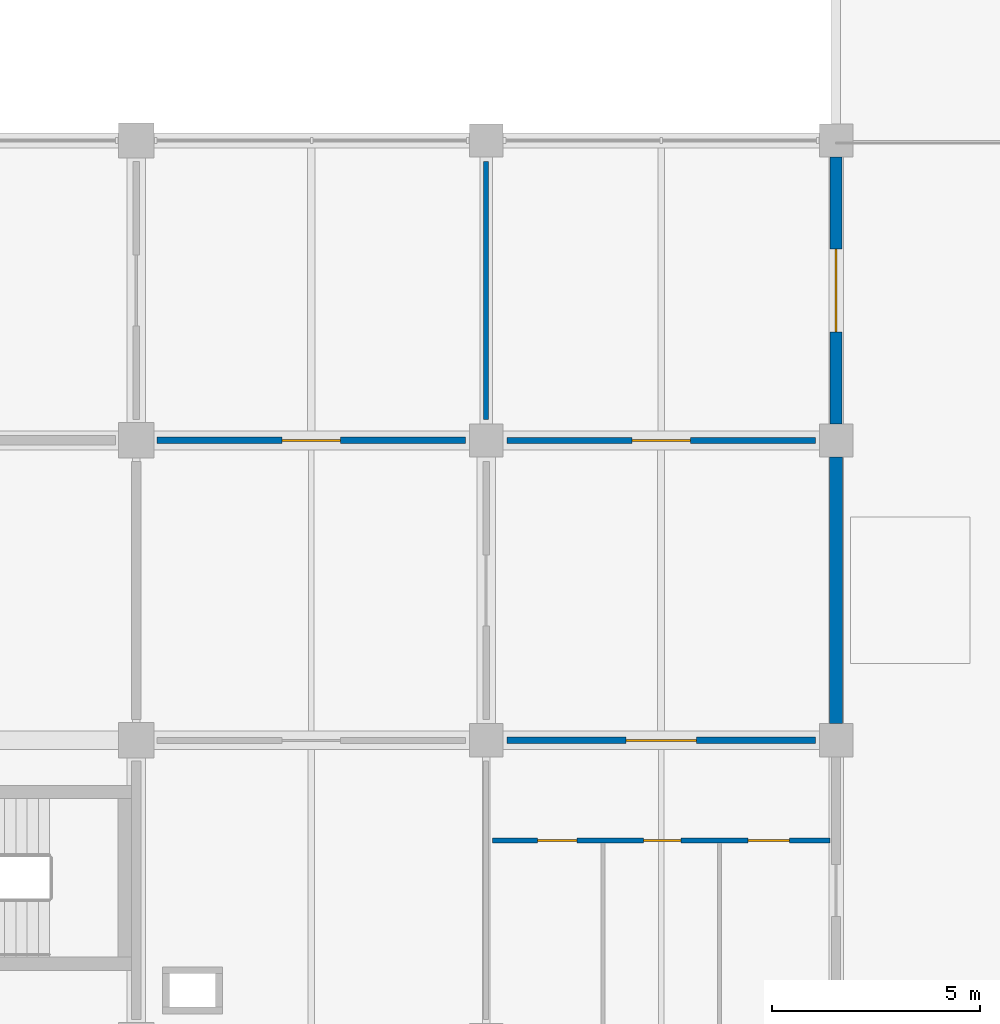
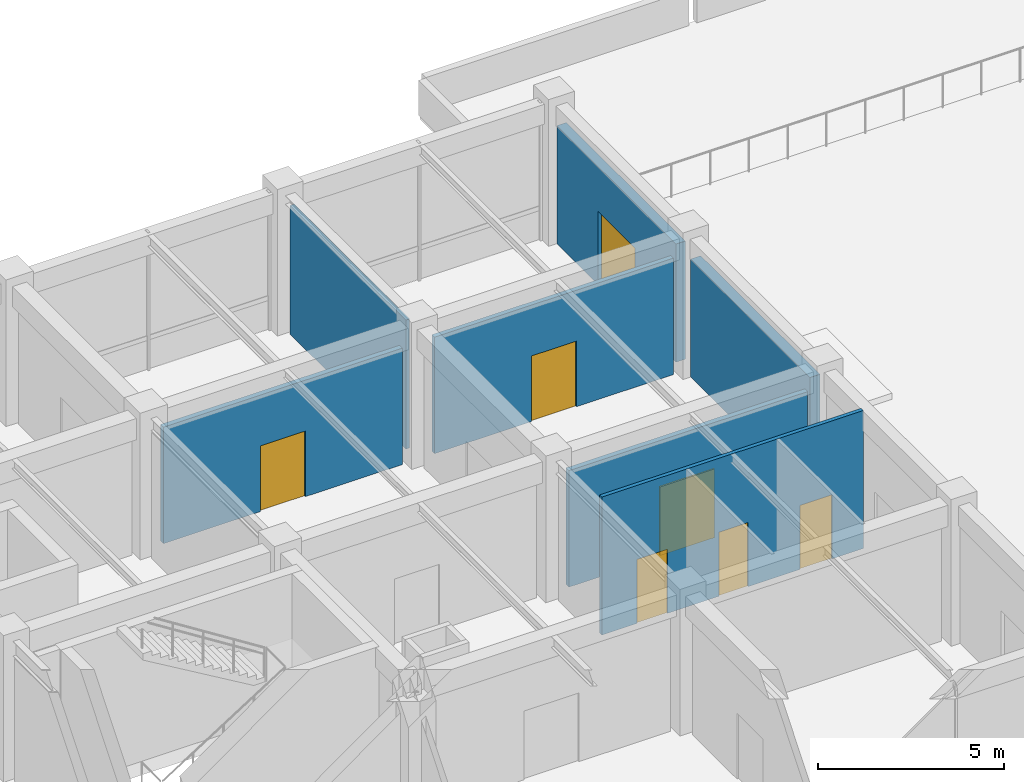
# One storey, part 41 of 45: 7 doors, 7 walls, 7 openings.
"""IFC4 building model written with IfcOpenShell, lengths in metres."""

from ifc_helpers import new_model, si_unit, derived_unit, direction, frame, frame_2d, origin, place, context, subcontext, project, spatial, rectangle, extrude, material, layer, layer_set, type_object, element, fill, save


model = new_model("IFC4")

# Units and contexts
model_context = context("Model", 3, precision=1e-05, world=origin(), true_north=direction((0.0, 1.0)))
body_context = subcontext(model_context, "Body", "Model", "MODEL_VIEW")
ifc_project = project(units=[si_unit("LENGTHUNIT", "METRE"), si_unit("AREAUNIT", "SQUARE_METRE"), si_unit("VOLUMEUNIT", "CUBIC_METRE"), si_unit("PLANEANGLEUNIT", "RADIAN"), si_unit("MASSUNIT", "GRAM", prefix="KILO"), derived_unit("THERMALTRANSMITTANCEUNIT", [(si_unit("MASSUNIT", "GRAM", prefix="KILO"), 1), (si_unit("TIMEUNIT", "SECOND"), -3), (si_unit("THERMODYNAMICTEMPERATUREUNIT", "KELVIN"), -1)])], contexts=[model_context])

# Site, building, storey
site_placement = place(None, origin())
site = spatial("IfcSite", under=ifc_project, at=site_placement, CompositionType="ELEMENT")
building_placement = place(site_placement, origin())
building = spatial("IfcBuilding", under=site, at=building_placement, Name="Veldstrom Oceanarium and Marine Research Institute", CompositionType="ELEMENT")
storey_placement = place(building_placement, frame((0.0, 0.0, 22.199951171875)))
storey = spatial("IfcBuildingStorey", under=building, at=storey_placement, Name="L04", CompositionType="ELEMENT", Elevation=22.199951171875)

# Wall
ifc_material_1 = material(Name="Masonry Cavity Wall", Category="masonry")
ifc_layer_1 = layer(ifc_material_1, 0.31005859375)
ifc_layer_set_1 = layer_set([ifc_layer_1], Name="ARC-WAL-EW1")
wall_type_1 = type_object("IfcWallType", Name="ARC-WAL-EW1", PredefinedType="SOLIDWALL", material=ifc_layer_set_1)
wall_1_placement = place(storey_placement, frame((117.60009765625, 58.0, 0.0), z_axis=(0.0, 0.0, 1.0), x_axis=(0.0, 1.0, 0.0)))
element("IfcWall", 1, at=wall_1_placement, inside=storey, type_object=wall_type_1, Name="Exterior Facade Wall EW1 L04-174", PredefinedType="SOLIDWALL", context=body_context, shape_type="SweptSolid", body=[
    extrude(rectangle(XDim=6.39990234375, YDim=0.31005859375, at=frame_2d((3.199951171875, 0.0))), origin(), (0.0, 0.0, 1.0), 3.864990234375),
])

# Wall, opening, door
ifc_material_2 = material(Name="Masonry Cavity Wall", Category="masonry")
ifc_layer_2 = layer(ifc_material_2, 0.2900390625)
ifc_layer_set_2 = layer_set([ifc_layer_2], Name="ARC-WAL-EW2")
wall_type_2 = type_object("IfcWallType", Name="ARC-WAL-EW2", PredefinedType="SOLIDWALL", material=ifc_layer_set_2)
wall_2_placement = place(storey_placement, frame((117.60009765625, 65.199951171875, 0.0), z_axis=(0.0, 0.0, 1.0), x_axis=(0.0, 1.0, 0.0)))
wall_2 = element("IfcWall", 2, at=wall_2_placement, inside=storey, type_object=wall_type_2, Name="Exterior Facade Wall EW2 L04-175", PredefinedType="SOLIDWALL", context=body_context, shape_type="SweptSolid", body=[
    extrude(rectangle(XDim=6.400146484375, YDim=0.2900390625, at=frame_2d((3.2001953125, 0.0))), origin(), (0.0, 0.0, 1.0), 3.864990234375),
])
opening_1_placement = place(wall_2_placement, frame((2.199951171875, 0.0, 0.0)))
opening_1 = element("IfcOpeningElement", 3, at=opening_1_placement, cuts=wall_2, Name="Opening D-L04-018", PredefinedType="OPENING", context=body_context, shape_type="SweptSolid", body=[
    extrude(rectangle(XDim=2.0, YDim=2.39990234375, at=frame_2d((1.0, 1.199951171875))), frame((0.0, 0.155029296875, 0.0), z_axis=(0.0, -1.0, 0.0), x_axis=(1.0, 0.0, 0.0)), (0.0, 0.0, 1.0), 0.31005859375),
])
ifc_material_3 = material(Name="Anodised Aluminium Glazed Door", Category="aluminium")
door_type_1 = type_object("IfcDoorType", Name="ARC-DOR-ED1", OperationType="DOUBLE_DOOR_SINGLE_SWING", PredefinedType="DOOR", material=ifc_material_3)
door_1_placement = place(opening_1_placement, frame((2.0, 0.0, 0.0), z_axis=(0.0, 0.0, 1.0), x_axis=(-1.0, 0.0, 0.0)))
door_1 = element("IfcDoor", 4, at=door_1_placement, inside=storey, type_object=door_type_1, Name="Terrace Access Door D-L04-018", OperationType="DOUBLE_DOOR_SINGLE_SWING", OverallHeight=2.39990234375, OverallWidth=2.0, PredefinedType="DOOR", context=body_context, shape_type="SweptSolid", body=[
    extrude(rectangle(XDim=2.0, YDim=2.39990234375, at=frame_2d((1.0, 1.199951171875))), frame((0.0, 0.02490234375, 0.0), z_axis=(0.0, -1.0, 0.0), x_axis=(1.0, 0.0, 0.0)), (0.0, 0.0, 1.0), 0.050048828125),
])
fill(opening_1, door_1)

ifc_material_4 = material(Name="Drywall Corridor Partition", Category="gypsum")
ifc_layer_3 = layer(ifc_material_4, 0.155029296875)
ifc_layer_set_3 = layer_set([ifc_layer_3], Name="ARC-WAL-PT4")
wall_type_3 = type_object("IfcWallType", Name="ARC-WAL-PT4", PredefinedType="PARTITIONING", material=ifc_layer_set_3)
wall_3_placement = place(storey_placement, frame((101.300048828125, 64.800048828125, 0.0), z_axis=(0.0, 0.0, 1.0), x_axis=(1.0, 0.0, 0.0)))
wall_3 = element("IfcWall", 5, at=wall_3_placement, inside=storey, type_object=wall_type_3, Name="Interior Partition PT4 L04-1433", PredefinedType="PARTITIONING", context=body_context, shape_type="SweptSolid", body=[
    extrude(rectangle(XDim=7.39990234375, YDim=0.155029296875, at=frame_2d((3.699951171875, 0.0))), origin(), (0.0, 0.0, 1.0), 3.81494140625),
])
opening_2_placement = place(wall_3_placement, frame((3.0, 0.0, 0.0)))
opening_2 = element("IfcOpeningElement", 6, at=opening_2_placement, cuts=wall_3, Name="Opening D-L04-849", PredefinedType="OPENING", context=body_context, shape_type="SweptSolid", body=[
    extrude(rectangle(XDim=1.39990234375, YDim=2.14990234375, at=frame_2d((0.699951171875, 1.074951171875))), frame((0.0, 0.08740234375, 0.0), z_axis=(0.0, -1.0, 0.0), x_axis=(1.0, 0.0, 0.0)), (0.0, 0.0, 1.0), 0.175048828125),
])
ifc_material_5 = material(Name="Education Classroom Door", Category="timber")
door_type_2 = type_object("IfcDoorType", Name="ARC-DOR-ID04", OperationType="DOUBLE_DOOR_SINGLE_SWING", PredefinedType="DOOR", material=ifc_material_5)
door_2_placement = place(opening_2_placement, origin())
door_2 = element("IfcDoor", 7, at=door_2_placement, inside=storey, type_object=door_type_2, Name="Interior Door D-L04-849", OperationType="DOUBLE_DOOR_SINGLE_SWING", OverallHeight=2.14990234375, OverallWidth=1.39990234375, PredefinedType="DOOR", context=body_context, shape_type="SweptSolid", body=[
    extrude(rectangle(XDim=1.39990234375, YDim=2.14990234375, at=frame_2d((0.699951171875, 1.074951171875))), frame((0.0, 0.02490234375, 0.0), z_axis=(0.0, -1.0, 0.0), x_axis=(1.0, 0.0, 0.0)), (0.0, 0.0, 1.0), 0.050048828125),
])
fill(opening_2, door_2)

wall_4_placement = place(storey_placement, frame((109.699951171875, 57.60009765625, 0.0), z_axis=(0.0, 0.0, 1.0), x_axis=(1.0, 0.0, 0.0)))
wall_4 = element("IfcWall", 8, at=wall_4_placement, inside=storey, type_object=wall_type_3, Name="Interior Partition PT4 L04-1436", PredefinedType="PARTITIONING", context=body_context, shape_type="SweptSolid", body=[
    extrude(rectangle(XDim=7.400146484375, YDim=0.155029296875, at=frame_2d((3.7001953125, 0.0))), origin(), (0.0, 0.0, 1.0), 3.81494140625),
])
opening_3_placement = place(wall_4_placement, frame((2.85009765625, 0.0, 0.0)))
opening_3 = element("IfcOpeningElement", 9, at=opening_3_placement, cuts=wall_4, Name="Opening D-L04-850", PredefinedType="OPENING", context=body_context, shape_type="SweptSolid", body=[
    extrude(rectangle(XDim=1.699951171875, YDim=2.25, at=frame_2d((0.85009765625, 1.125))), frame((0.0, 0.08740234375, 0.0), z_axis=(0.0, -1.0, 0.0), x_axis=(1.0, 0.0, 0.0)), (0.0, 0.0, 1.0), 0.175048828125),
])
ifc_material_6 = material(Name="Symposium Auditorium Door", Category="timber")
door_type_3 = type_object("IfcDoorType", Name="ARC-DOR-ID13", OperationType="DOUBLE_DOOR_SINGLE_SWING", PredefinedType="DOOR", material=ifc_material_6)
door_3_placement = place(opening_3_placement, frame((1.699951171875, 0.0, 0.0), z_axis=(0.0, 0.0, 1.0), x_axis=(-1.0, 0.0, 0.0)))
door_3 = element("IfcDoor", 10, at=door_3_placement, inside=storey, type_object=door_type_3, Name="Interior Door D-L04-850", OperationType="DOUBLE_DOOR_SINGLE_SWING", OverallHeight=2.25, OverallWidth=1.699951171875, PredefinedType="DOOR", context=body_context, shape_type="SweptSolid", body=[
    extrude(rectangle(XDim=1.699951171875, YDim=2.25, at=frame_2d((0.85009765625, 1.125))), frame((0.0, 0.02490234375, 0.0), z_axis=(0.0, -1.0, 0.0), x_axis=(1.0, 0.0, 0.0)), (0.0, 0.0, 1.0), 0.050048828125),
])
fill(opening_3, door_3)

ifc_material_7 = material(Name="Moisture-Resistant Wet-Area Partition", Category="masonry")
ifc_layer_4 = layer(ifc_material_7, 0.139892578125)
ifc_layer_set_4 = layer_set([ifc_layer_4], Name="ARC-WAL-PT5")
wall_type_4 = type_object("IfcWallType", Name="ARC-WAL-PT5", PredefinedType="PARTITIONING", material=ifc_layer_set_4)
wall_5_placement = place(storey_placement, frame((109.699951171875, 64.800048828125, 0.0), z_axis=(0.0, 0.0, 1.0), x_axis=(1.0, 0.0, 0.0)))
wall_5 = element("IfcWall", 11, at=wall_5_placement, inside=storey, type_object=wall_type_4, Name="Interior Partition PT5 L04-1437", PredefinedType="PARTITIONING", context=body_context, shape_type="SweptSolid", body=[
    extrude(rectangle(XDim=7.400146484375, YDim=0.139892578125, at=frame_2d((3.7001953125, 0.0))), origin(), (0.0, 0.0, 1.0), 3.81494140625),
])
opening_4_placement = place(wall_5_placement, frame((3.0, 0.0, 0.0)))
opening_4 = element("IfcOpeningElement", 12, at=opening_4_placement, cuts=wall_5, Name="Opening D-L04-851", PredefinedType="OPENING", context=body_context, shape_type="SweptSolid", body=[
    extrude(rectangle(XDim=1.39990234375, YDim=2.14990234375, at=frame_2d((0.699951171875, 1.074951171875))), frame((0.0, 0.079833984375, 0.0), z_axis=(0.0, -1.0, 0.0), x_axis=(1.0, 0.0, 0.0)), (0.0, 0.0, 1.0), 0.159912109375),
])
door_4_placement = place(opening_4_placement, frame((1.39990234375, 0.0, 0.0), z_axis=(0.0, 0.0, 1.0), x_axis=(-1.0, 0.0, 0.0)))
door_4 = element("IfcDoor", 13, at=door_4_placement, inside=storey, type_object=door_type_2, Name="Interior Door D-L04-851", OperationType="DOUBLE_DOOR_SINGLE_SWING", OverallHeight=2.14990234375, OverallWidth=1.39990234375, PredefinedType="DOOR", context=body_context, shape_type="SweptSolid", body=[
    extrude(rectangle(XDim=1.39990234375, YDim=2.14990234375, at=frame_2d((0.699951171875, 1.074951171875))), frame((0.0, 0.02490234375, 0.0), z_axis=(0.0, -1.0, 0.0), x_axis=(1.0, 0.0, 0.0)), (0.0, 0.0, 1.0), 0.050048828125),
])
fill(opening_4, door_4)

# Wall, openings, doors
ifc_material_8 = material(Name="Lightweight Studio Partition", Category="gypsum")
ifc_layer_5 = layer(ifc_material_8, 0.1201171875)
ifc_layer_set_5 = layer_set([ifc_layer_5], Name="ARC-WAL-PT6")
wall_type_5 = type_object("IfcWallType", Name="ARC-WAL-PT6", PredefinedType="PARTITIONING", material=ifc_layer_set_5)
wall_6_placement = place(storey_placement, frame((109.35009765625, 55.199951171875, 0.0), z_axis=(0.0, 0.0, 1.0), x_axis=(1.0, 0.0, 0.0)))
wall_6 = element("IfcWall", 14, at=wall_6_placement, inside=storey, type_object=wall_type_5, Name="Sanitary Vestibule Partition L04-13", PredefinedType="PARTITIONING", context=body_context, shape_type="SweptSolid", body=[
    extrude(rectangle(XDim=8.099853515625, YDim=0.1201171875, at=frame_2d((4.0498046875, 0.0))), origin(), (0.0, 0.0, 1.0), 4.52001953125),
])
opening_5_placement = place(wall_6_placement, frame((1.080078125, 0.0, 0.0)))
opening_5 = element("IfcOpeningElement", 15, at=opening_5_placement, cuts=wall_6, Name="Opening D-L04-WC823", PredefinedType="OPENING", context=body_context, shape_type="SweptSolid", body=[
    extrude(rectangle(XDim=0.949951171875, YDim=2.10009765625, at=frame_2d((0.47509765625, 1.050048828125))), frame((0.0, 0.070068359375, 0.0), z_axis=(0.0, -1.0, 0.0), x_axis=(1.0, 0.0, 0.0)), (0.0, 0.0, 1.0), 0.14013671875),
])
opening_6_placement = place(wall_6_placement, frame((3.6298828125, 0.0, 0.0)))
opening_6 = element("IfcOpeningElement", 16, at=opening_6_placement, cuts=wall_6, Name="Opening D-L04-WC824", PredefinedType="OPENING", context=body_context, shape_type="SweptSolid", body=[
    extrude(rectangle(XDim=0.89990234375, YDim=2.10009765625, at=frame_2d((0.449951171875, 1.050048828125))), frame((0.0, 0.070068359375, 0.0), z_axis=(0.0, -1.0, 0.0), x_axis=(1.0, 0.0, 0.0)), (0.0, 0.0, 1.0), 0.14013671875),
])
opening_7_placement = place(wall_6_placement, frame((6.1298828125, 0.0, 0.0)))
opening_7 = element("IfcOpeningElement", 17, at=opening_7_placement, cuts=wall_6, Name="Opening D-L04-WC825", PredefinedType="OPENING", context=body_context, shape_type="SweptSolid", body=[
    extrude(rectangle(XDim=1.0, YDim=2.10009765625, at=frame_2d((0.5, 1.050048828125))), frame((0.0, 0.070068359375, 0.0), z_axis=(0.0, -1.0, 0.0), x_axis=(1.0, 0.0, 0.0)), (0.0, 0.0, 1.0), 0.14013671875),
])
ifc_material_9 = material(Name="Accessible Sanitary Door", Category="timber")
door_type_4 = type_object("IfcDoorType", Name="ARC-DOR-ID08", OperationType="SINGLE_SWING_RIGHT", PredefinedType="DOOR", material=ifc_material_9)
door_5_placement = place(opening_7_placement, frame((1.0, 0.0, 0.0), z_axis=(0.0, 0.0, 1.0), x_axis=(-1.0, 0.0, 0.0)))
door_5 = element("IfcDoor", 18, at=door_5_placement, inside=storey, type_object=door_type_4, Name="Accessible WC Door D-L04-WC825", OperationType="SINGLE_SWING_RIGHT", OverallHeight=2.10009765625, OverallWidth=1.0, PredefinedType="DOOR", context=body_context, shape_type="SweptSolid", body=[
    extrude(rectangle(XDim=1.0, YDim=2.10009765625, at=frame_2d((0.5, 1.050048828125))), frame((0.0, 0.02490234375, 0.0), z_axis=(0.0, -1.0, 0.0), x_axis=(1.0, 0.0, 0.0)), (0.0, 0.0, 1.0), 0.050048828125),
])
fill(opening_7, door_5)
ifc_material_10 = material(Name="Staff Sanitary Door", Category="timber")
door_type_5 = type_object("IfcDoorType", Name="ARC-DOR-ID09", OperationType="SINGLE_SWING_LEFT", PredefinedType="DOOR", material=ifc_material_10)
door_6_placement = place(opening_5_placement, frame((0.949951171875, 0.0, 0.0), z_axis=(0.0, 0.0, 1.0), x_axis=(-1.0, 0.0, 0.0)))
door_6 = element("IfcDoor", 19, at=door_6_placement, inside=storey, type_object=door_type_5, Name="Male WC Door D-L04-WC823", OperationType="SINGLE_SWING_RIGHT", OverallHeight=2.10009765625, OverallWidth=0.949951171875, PredefinedType="DOOR", context=body_context, shape_type="SweptSolid", body=[
    extrude(rectangle(XDim=0.949951171875, YDim=2.10009765625, at=frame_2d((0.47509765625, 1.050048828125))), frame((0.0, 0.02490234375, 0.0), z_axis=(0.0, -1.0, 0.0), x_axis=(1.0, 0.0, 0.0)), (0.0, 0.0, 1.0), 0.050048828125),
])
fill(opening_5, door_6)
ifc_material_11 = material(Name="Internal Sanitary Door", Category="timber")
door_type_6 = type_object("IfcDoorType", Name="ARC-DOR-ID10", OperationType="SINGLE_SWING_RIGHT", PredefinedType="DOOR", material=ifc_material_11)
door_7_placement = place(opening_6_placement, frame((0.89990234375, 0.0, 0.0), z_axis=(0.0, 0.0, 1.0), x_axis=(-1.0, 0.0, 0.0)))
door_7 = element("IfcDoor", 20, at=door_7_placement, inside=storey, type_object=door_type_6, Name="Female WC Door D-L04-WC824", OperationType="SINGLE_SWING_LEFT", OverallHeight=2.10009765625, OverallWidth=0.89990234375, PredefinedType="DOOR", context=body_context, shape_type="SweptSolid", body=[
    extrude(rectangle(XDim=0.89990234375, YDim=2.10009765625, at=frame_2d((0.449951171875, 1.050048828125))), frame((0.0, 0.02490234375, 0.0), z_axis=(0.0, -1.0, 0.0), x_axis=(1.0, 0.0, 0.0)), (0.0, 0.0, 1.0), 0.050048828125),
])
fill(opening_6, door_7)

# Wall
wall_7_placement = place(storey_placement, frame((109.199951171875, 65.300048828125, 0.0), z_axis=(0.0, 0.0, 1.0), x_axis=(0.0, 1.0, 0.0)))
element("IfcWall", 21, at=wall_7_placement, inside=storey, type_object=wall_type_5, Name="Interior Partition PT6 L04-1434", PredefinedType="PARTITIONING", context=body_context, shape_type="SweptSolid", body=[
    extrude(rectangle(XDim=6.199951171875, YDim=0.1201171875, at=frame_2d((3.10009765625, 0.0))), origin(), (0.0, 0.0, 1.0), 4.22509765625),
])

save(model, "model.ifc")
